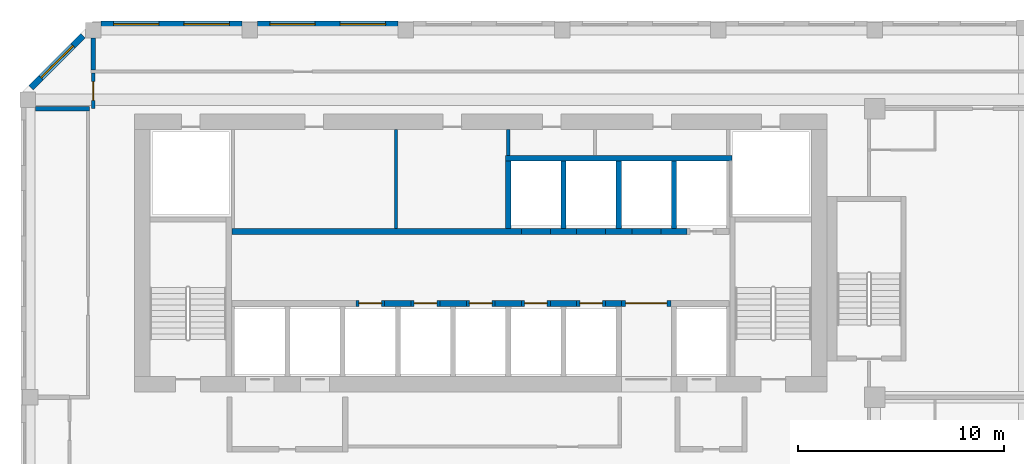
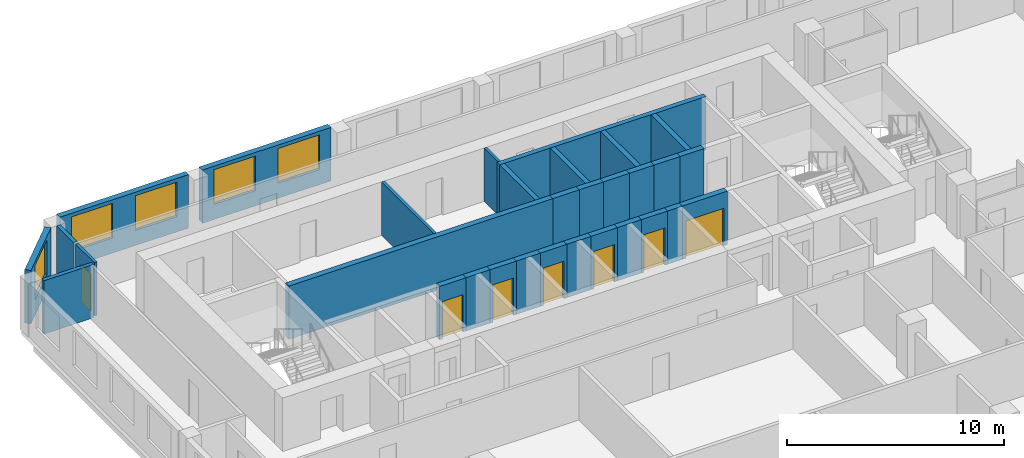
# One storey, part 14 of 22: 31 walls, 7 doors, 5 windows, 12 openings.
"""IFC4 building model written with IfcOpenShell, lengths in metres."""

from ifc_helpers import new_model, si_unit, direction, frame, frame_2d, origin, place, context, subcontext, project, spatial, rectangle, extrude, source, transform, mapped, material, layer, layer_set, type_object, element, fill, save


model = new_model("IFC4")

# Units and contexts
model_context = context("Model", 3, precision=1e-05, world=origin(), true_north=direction((0.0, 1.0)))
body_context = subcontext(model_context, "Body", "Model", "MODEL_VIEW")
ifc_project = project(units=[si_unit("LENGTHUNIT", "METRE"), si_unit("AREAUNIT", "SQUARE_METRE"), si_unit("VOLUMEUNIT", "CUBIC_METRE"), si_unit("PLANEANGLEUNIT", "RADIAN"), si_unit("MASSUNIT", "GRAM", prefix="KILO")], contexts=[model_context])

# Site, building, storey
site_placement = place(None, origin())
site = spatial("IfcSite", under=ifc_project, at=site_placement, CompositionType="ELEMENT")
building_placement = place(site_placement, origin())
building = spatial("IfcBuilding", under=site, at=building_placement, Name="Kilnfold Tower and Market Hall", CompositionType="ELEMENT")
storey_placement = place(building_placement, frame((0.0, 0.0, 220.300048828125)))
storey = spatial("IfcBuildingStorey", under=building, at=storey_placement, Name="L54", CompositionType="ELEMENT", Elevation=220.300048828125)

# Wall, opening, door
ifc_material_1 = material(Name="Gypsum board on steel studs", Category="steel")
ifc_layer_1 = layer(ifc_material_1, 0.14990234375)
ifc_layer_set_1 = layer_set([ifc_layer_1], Name="Gypsum board on steel studs")
wall_type_1 = type_object("IfcWallType", Name="WALL CORRIDOR 150", PredefinedType="PARTITIONING", material=ifc_layer_set_1)
wall_1_placement = place(storey_placement, frame((-17.75, 23.72509765625, 0.0), z_axis=(0.0, 0.0, 1.0), x_axis=(0.0, -1.0, 0.0)))
wall_1 = element("IfcWall", 1, at=wall_1_placement, inside=storey, type_object=wall_type_1, Name="Partition LY32.17", PredefinedType="PARTITIONING", context=body_context, shape_type="SweptSolid", body=[
    extrude(rectangle(XDim=1.72509765625, YDim=0.14990234375, at=frame_2d((0.862548828125, 0.0))), origin(), (0.0, 0.0, 1.0), 3.0),
])
opening_1_placement = place(wall_1_placement, frame((0.4130859375, 0.0, 0.0)))
opening_1 = element("IfcOpeningElement", 2, at=opening_1_placement, cuts=wall_1, Name="Opening D2", PredefinedType="OPENING", context=body_context, shape_type="SweptSolid", body=[
    extrude(rectangle(XDim=0.89990234375, YDim=2.10009765625, at=frame_2d((0.449951171875, 1.050048828125))), frame((0.0, 0.0849609375, 0.0), z_axis=(0.0, -1.0, 0.0), x_axis=(1.0, 0.0, 0.0)), (0.0, 0.0, 1.0), 0.169921875),
])
ifc_material_2 = material(Name="Timber veneer door leaf in steel frame", Category="steel")
door_type_1 = type_object("IfcDoorType", Name="DOOR ROOM 900 X2100", OperationType="NOTDEFINED", PredefinedType="DOOR", material=ifc_material_2)
door_1_placement = place(opening_1_placement, origin())
door_1 = element("IfcDoor", 3, at=door_1_placement, inside=storey, type_object=door_type_1, Name="Door D2", OperationType="SINGLE_SWING_LEFT", OverallHeight=2.10009765625, OverallWidth=0.89990234375, PredefinedType="DOOR", context=body_context, shape_type="SweptSolid", body=[
    extrude(rectangle(XDim=0.89990234375, YDim=2.10009765625, at=frame_2d((0.449951171875, 1.050048828125))), frame((0.0, 0.02490234375, 0.0), z_axis=(0.0, -1.0, 0.0), x_axis=(1.0, 0.0, 0.0)), (0.0, 0.0, 1.0), 0.050048828125),
])
fill(opening_1, door_1)

# Walls
ifc_material_3 = material(Name="Gypsum board on steel studs", Category="steel")
ifc_layer_2 = layer(ifc_material_3, 0.199951171875)
ifc_layer_set_2 = layer_set([ifc_layer_2], Name="Gypsum board on steel studs")
wall_type_2 = type_object("IfcWallType", Name="WALL PARTY 200", PredefinedType="PARTITIONING", material=ifc_layer_set_2)
wall_2_placement = place(storey_placement, frame((-20.556884765625, 22.0, 0.0), z_axis=(0.0, 0.0, 1.0), x_axis=(1.0, 0.0, 0.0)))
element("IfcWall", 4, at=wall_2_placement, inside=storey, type_object=wall_type_2, Name="Partition LY32.70", PredefinedType="PARTITIONING", context=body_context, shape_type="SweptSolid", body=[
    extrude(rectangle(XDim=2.6298828125, YDim=0.199951171875, at=frame_2d((1.31494140625, 0.0))), origin(), (0.0, 0.0, 1.0), 3.0),
])
wall_3_placement = place(storey_placement, frame((-17.75, 23.876953125, 0.0), z_axis=(0.0, 0.0, 1.0), x_axis=(0.0, 1.0, 0.0)))
element("IfcWall", 5, at=wall_3_placement, inside=storey, type_object=wall_type_2, Name="Partition LY32.76", PredefinedType="PARTITIONING", context=body_context, shape_type="SweptSolid", body=[
    extrude(rectangle(XDim=1.548095703125, YDim=0.199951171875, at=frame_2d((0.77392578125, 0.0))), origin(), (0.0, 0.0, 1.0), 3.0),
])
ifc_material_4 = material(Name="Concrete C60", Category="concrete")
ifc_layer_3 = layer(ifc_material_4, 0.300048828125)
ifc_layer_set_3 = layer_set([ifc_layer_3], Name="Concrete C60")
wall_type_3 = type_object("IfcWallType", Name="CORE WALL 300 C60", PredefinedType="SHEAR", material=ifc_layer_set_3)
shared_shape_1 = source(origin(), body_context, "Body", "SweptSolid", [
    extrude(rectangle(XDim=1.280029296875, YDim=0.300048828125, at=frame_2d((0.64013671875, 0.0))), origin(), (0.0, 0.0, 1.0), 3.0),
])
for number, where, z_axis, x_axis, name in (
    (6, (-3.610107421875, 12.550048828125, 0.0), (0.0, 0.0, 1.0), (1.0, 0.0, 0.0), "Core spine wall"),
    (7, (-0.929931640625, 12.550048828125, 0.0), (0.0, 0.0, 1.0), (1.0, 0.0, 0.0), "Core spine wall"),
    (8, (1.75, 12.550048828125, 0.0), (0.0, 0.0, 1.0), (1.0, 0.0, 0.0), "Core spine wall"),
    (9, (4.429931640625, 12.550048828125, 0.0), (0.0, 0.0, 1.0), (1.0, 0.0, 0.0), "Core spine wall"),
    (10, (4.429931640625, 16.050048828125, 0.0), (0.0, 0.0, 1.0), (1.0, 0.0, 0.0), "Core spine wall"),
    (11, (9.7900390625, 16.050048828125, 0.0), (0.0, 0.0, 1.0), (1.0, 0.0, 0.0), "Core spine wall"),
):
    element("IfcWall", number, at=place(storey_placement, frame(where, z_axis=z_axis, x_axis=x_axis)), inside=storey, type_object=wall_type_3, Name=name, PredefinedType="SHEAR", context=body_context, shape_type="MappedRepresentation", body=[
        mapped(shared_shape_1, transform((0.0, 0.0, 0.0))),
    ])
shared_shape_2 = source(origin(), body_context, "Body", "SweptSolid", [
    extrude(rectangle(XDim=0.77978515625, YDim=0.300048828125, at=frame_2d((0.389892578125, 0.0))), origin(), (0.0, 0.0, 1.0), 3.0),
])
wall_4_placement = place(storey_placement, frame((7.110107421875, 12.550048828125, 0.0), z_axis=(0.0, 0.0, 1.0), x_axis=(1.0, 0.0, 0.0)))
element("IfcWall", 12, at=wall_4_placement, inside=storey, type_object=wall_type_3, Name="Core spine wall", PredefinedType="SHEAR", context=body_context, shape_type="MappedRepresentation", body=[
    mapped(shared_shape_2, transform((0.0, 0.0, 0.0))),
])
shared_shape_3 = source(origin(), body_context, "Body", "SweptSolid", [
    extrude(rectangle(XDim=14.0400390625, YDim=0.300048828125, at=frame_2d((7.02001953125, 0.0))), origin(), (0.0, 0.0, 1.0), 3.0),
])
wall_5_placement = place(storey_placement, frame((-11.010009765625, 16.050048828125, 0.0), z_axis=(0.0, 0.0, 1.0), x_axis=(1.0, 0.0, 0.0)))
element("IfcWall", 13, at=wall_5_placement, inside=storey, type_object=wall_type_3, Name="Core spine wall", PredefinedType="SHEAR", context=body_context, shape_type="MappedRepresentation", body=[
    mapped(shared_shape_3, transform((0.0, 0.0, 0.0))),
])
shared_shape_4 = source(origin(), body_context, "Body", "SweptSolid", [
    extrude(rectangle(XDim=1.27978515625, YDim=0.300048828125, at=frame_2d((0.639892578125, 0.0))), origin(), (0.0, 0.0, 1.0), 3.0),
])
wall_6_placement = place(storey_placement, frame((7.110107421875, 16.050048828125, 0.0), z_axis=(0.0, 0.0, 1.0), x_axis=(1.0, 0.0, 0.0)))
element("IfcWall", 14, at=wall_6_placement, inside=storey, type_object=wall_type_3, Name="Core spine wall", PredefinedType="SHEAR", context=body_context, shape_type="MappedRepresentation", body=[
    mapped(shared_shape_4, transform((0.0, 0.0, 0.0))),
])

# Wall, opening, window
ifc_material_5 = material(Name="Precast concrete C50/60", Category="concrete")
ifc_layer_4 = layer(ifc_material_5, 0.300048828125)
ifc_layer_set_4 = layer_set([ifc_layer_4], Name="Precast concrete C50/60")
wall_type_4 = type_object("IfcWallType", Name="PRECAST WALL 300", PredefinedType="SOLIDWALL", material=ifc_layer_set_4)
shared_shape_5 = source(origin(), body_context, "Body", "SweptSolid", [
    extrude(rectangle(XDim=3.571044921875, YDim=0.300048828125, at=frame_2d((1.78564453125, 0.0))), origin(), (0.0, 0.0, 1.0), 3.0),
])
wall_7_placement = place(storey_placement, frame((-18.243896484375, 25.5439453125, 0.0), z_axis=(0.0, 0.0, 1.0), x_axis=(-0.707072595841, -0.707140964879, 0.0)))
wall_7 = element("IfcWall", 15, at=wall_7_placement, inside=storey, type_object=wall_type_4, Name="External wall L54 NW", PredefinedType="SOLIDWALL", context=body_context, shape_type="MappedRepresentation", body=[
    mapped(shared_shape_5, transform((0.0, 0.0, 0.0))),
])
opening_2_placement = place(wall_7_placement, frame((0.685546875, 0.0, 0.85009765625)))
opening_2 = element("IfcOpeningElement", 16, at=opening_2_placement, cuts=wall_7, Name="Opening W2", PredefinedType="OPENING", context=body_context, shape_type="SweptSolid", body=[
    extrude(rectangle(XDim=2.199951171875, YDim=1.949951171875, at=frame_2d((1.10009765625, 0.97509765625))), frame((0.0, 0.16015625, 0.0), z_axis=(0.0, -1.0, 0.0), x_axis=(1.0, 0.0, 0.0)), (0.0, 0.0, 1.0), 0.320068359375),
])
ifc_material_6 = material(Name="Aluminium frame and double glazing", Category="aluminium")
window_type = type_object("IfcWindowType", Name="WINDOW W2 2200X1950", PartitioningType="SINGLE_PANEL", PredefinedType="WINDOW", material=ifc_material_6)
window_1_placement = place(opening_2_placement, origin())
window_1 = element("IfcWindow", 17, at=window_1_placement, inside=storey, type_object=window_type, Name="Window W2 L54 NW-1", OverallHeight=1.949951171875, OverallWidth=2.199951171875, PartitioningType="SINGLE_PANEL", PredefinedType="WINDOW", context=body_context, shape_type="SweptSolid", body=[
    extrude(rectangle(XDim=2.199951171875, YDim=1.949951171875, at=frame_2d((1.10009765625, 0.97509765625))), frame((0.0, 0.030029296875, 0.0), z_axis=(0.0, -1.0, 0.0), x_axis=(1.0, 0.0, 0.0)), (0.0, 0.0, 1.0), 0.06005859375),
])
fill(opening_2, window_1)

# Wall, openings, windows
shared_shape_6 = source(origin(), body_context, "Body", "SweptSolid", [
    extrude(rectangle(XDim=6.83349609375, YDim=0.300048828125, at=frame_2d((3.416748046875, 0.0))), origin(), (0.0, 0.0, 1.0), 3.0),
])
wall_8_placement = place(storey_placement, frame((-2.958251953125, 26.10009765625, 0.0), z_axis=(0.0, 0.0, 1.0), x_axis=(-1.0, 0.0, 0.0)))
wall_8 = element("IfcWall", 18, at=wall_8_placement, inside=storey, type_object=wall_type_4, Name="External wall L54 N", PredefinedType="SOLIDWALL", context=body_context, shape_type="MappedRepresentation", body=[
    mapped(shared_shape_6, transform((0.0, 0.0, 0.0))),
])
opening_3_placement = place(wall_8_placement, frame((0.6083984375, 0.0, 0.85009765625)))
opening_3 = element("IfcOpeningElement", 19, at=opening_3_placement, cuts=wall_8, Name="Opening W2", PredefinedType="OPENING", context=body_context, shape_type="SweptSolid", body=[
    extrude(rectangle(XDim=2.199951171875, YDim=1.949951171875, at=frame_2d((1.10009765625, 0.97509765625))), frame((0.0, 0.16015625, 0.0), z_axis=(0.0, -1.0, 0.0), x_axis=(1.0, 0.0, 0.0)), (0.0, 0.0, 1.0), 0.320068359375),
])
opening_4_placement = place(wall_8_placement, frame((4.02490234375, 0.0, 0.85009765625)))
opening_4 = element("IfcOpeningElement", 20, at=opening_4_placement, cuts=wall_8, Name="Opening W2", PredefinedType="OPENING", context=body_context, shape_type="SweptSolid", body=[
    extrude(rectangle(XDim=2.199951171875, YDim=1.949951171875, at=frame_2d((1.10009765625, 0.97509765625))), frame((0.0, 0.16015625, 0.0), z_axis=(0.0, -1.0, 0.0), x_axis=(1.0, 0.0, 0.0)), (0.0, 0.0, 1.0), 0.320068359375),
])
window_2_placement = place(opening_3_placement, origin())
window_2 = element("IfcWindow", 21, at=window_2_placement, inside=storey, type_object=window_type, Name="Window W2 L54 N-1", OverallHeight=1.949951171875, OverallWidth=2.199951171875, PartitioningType="SINGLE_PANEL", PredefinedType="WINDOW", context=body_context, shape_type="SweptSolid", body=[
    extrude(rectangle(XDim=2.199951171875, YDim=1.949951171875, at=frame_2d((1.10009765625, 0.97509765625))), frame((0.0, 0.030029296875, 0.0), z_axis=(0.0, -1.0, 0.0), x_axis=(1.0, 0.0, 0.0)), (0.0, 0.0, 1.0), 0.06005859375),
])
fill(opening_3, window_2)
window_3_placement = place(opening_4_placement, origin())
window_3 = element("IfcWindow", 22, at=window_3_placement, inside=storey, type_object=window_type, Name="Window W2 L54 N-2", OverallHeight=1.949951171875, OverallWidth=2.199951171875, PartitioningType="SINGLE_PANEL", PredefinedType="WINDOW", context=body_context, shape_type="SweptSolid", body=[
    extrude(rectangle(XDim=2.199951171875, YDim=1.949951171875, at=frame_2d((1.10009765625, 0.97509765625))), frame((0.0, 0.030029296875, 0.0), z_axis=(0.0, -1.0, 0.0), x_axis=(1.0, 0.0, 0.0)), (0.0, 0.0, 1.0), 0.06005859375),
])
fill(opening_4, window_3)

shared_shape_7 = source(origin(), body_context, "Body", "SweptSolid", [
    extrude(rectangle(XDim=6.833251953125, YDim=0.300048828125, at=frame_2d((3.41650390625, 0.0))), origin(), (0.0, 0.0, 1.0), 3.0),
])
wall_9_placement = place(storey_placement, frame((-10.541748046875, 26.10009765625, 0.0), z_axis=(0.0, 0.0, 1.0), x_axis=(-1.0, 0.0, 0.0)))
wall_9 = element("IfcWall", 23, at=wall_9_placement, inside=storey, type_object=wall_type_4, Name="External wall L54 N", PredefinedType="SOLIDWALL", context=body_context, shape_type="MappedRepresentation", body=[
    mapped(shared_shape_7, transform((0.0, 0.0, 0.0))),
])
opening_5_placement = place(wall_9_placement, frame((0.6083984375, 0.0, 0.85009765625)))
opening_5 = element("IfcOpeningElement", 24, at=opening_5_placement, cuts=wall_9, Name="Opening W2", PredefinedType="OPENING", context=body_context, shape_type="SweptSolid", body=[
    extrude(rectangle(XDim=2.199951171875, YDim=1.949951171875, at=frame_2d((1.10009765625, 0.97509765625))), frame((0.0, 0.16015625, 0.0), z_axis=(0.0, -1.0, 0.0), x_axis=(1.0, 0.0, 0.0)), (0.0, 0.0, 1.0), 0.320068359375),
])
opening_6_placement = place(wall_9_placement, frame((4.02490234375, 0.0, 0.85009765625)))
opening_6 = element("IfcOpeningElement", 25, at=opening_6_placement, cuts=wall_9, Name="Opening W2", PredefinedType="OPENING", context=body_context, shape_type="SweptSolid", body=[
    extrude(rectangle(XDim=2.199951171875, YDim=1.949951171875, at=frame_2d((1.10009765625, 0.97509765625))), frame((0.0, 0.16015625, 0.0), z_axis=(0.0, -1.0, 0.0), x_axis=(1.0, 0.0, 0.0)), (0.0, 0.0, 1.0), 0.320068359375),
])
window_4_placement = place(opening_5_placement, origin())
window_4 = element("IfcWindow", 26, at=window_4_placement, inside=storey, type_object=window_type, Name="Window W2 L54 N-1", OverallHeight=1.949951171875, OverallWidth=2.199951171875, PartitioningType="SINGLE_PANEL", PredefinedType="WINDOW", context=body_context, shape_type="SweptSolid", body=[
    extrude(rectangle(XDim=2.199951171875, YDim=1.949951171875, at=frame_2d((1.10009765625, 0.97509765625))), frame((0.0, 0.030029296875, 0.0), z_axis=(0.0, -1.0, 0.0), x_axis=(1.0, 0.0, 0.0)), (0.0, 0.0, 1.0), 0.06005859375),
])
fill(opening_5, window_4)
window_5_placement = place(opening_6_placement, origin())
window_5 = element("IfcWindow", 27, at=window_5_placement, inside=storey, type_object=window_type, Name="Window W2 L54 N-2", OverallHeight=1.949951171875, OverallWidth=2.199951171875, PartitioningType="SINGLE_PANEL", PredefinedType="WINDOW", context=body_context, shape_type="SweptSolid", body=[
    extrude(rectangle(XDim=2.199951171875, YDim=1.949951171875, at=frame_2d((1.10009765625, 0.97509765625))), frame((0.0, 0.030029296875, 0.0), z_axis=(0.0, -1.0, 0.0), x_axis=(1.0, 0.0, 0.0)), (0.0, 0.0, 1.0), 0.06005859375),
])
fill(opening_6, window_5)

# Wall, opening, door
ifc_material_7 = material(Name="Gypsum shaft wall system")
ifc_layer_5 = layer(ifc_material_7, 0.300048828125)
ifc_layer_set_5 = layer_set([ifc_layer_5], Name="Gypsum shaft wall system")
wall_type_5 = type_object("IfcWallType", Name="SHAFT WALL 300", PredefinedType="PARTITIONING", material=ifc_layer_set_5)
shared_shape_8 = source(origin(), body_context, "Body", "SweptSolid", [
    extrude(rectangle(XDim=1.39990234375, YDim=0.300048828125, at=frame_2d((0.699951171875, 0.0))), origin(), (0.0, 0.0, 1.0), 3.0),
])
wall_10_placement = place(storey_placement, frame((-5.010009765625, 12.550048828125, 0.0), z_axis=(0.0, 0.0, 1.0), x_axis=(1.0, 0.0, 0.0)))
wall_10 = element("IfcWall", 28, at=wall_10_placement, inside=storey, type_object=wall_type_5, Name="Lift shaft front wall", PredefinedType="PARTITIONING", context=body_context, shape_type="MappedRepresentation", body=[
    mapped(shared_shape_8, transform((0.0, 0.0, 0.0))),
])
opening_7_placement = place(wall_10_placement, frame((0.14990234375, 0.0, 0.0)))
opening_7 = element("IfcOpeningElement", 29, at=opening_7_placement, cuts=wall_10, Name="Opening LD2", PredefinedType="OPENING", context=body_context, shape_type="SweptSolid", body=[
    extrude(rectangle(XDim=1.10009765625, YDim=2.10009765625, at=frame_2d((0.550048828125, 1.050048828125))), frame((0.0, 0.16015625, 0.0), z_axis=(0.0, -1.0, 0.0), x_axis=(1.0, 0.0, 0.0)), (0.0, 0.0, 1.0), 0.320068359375),
])
ifc_material_8 = material(Name="Steel door set with fire-resisting leaf", Category="steel")
door_type_2 = type_object("IfcDoorType", Name="LANDING DOOR 1100X2100", OperationType="NOTDEFINED", PredefinedType="DOOR", material=ifc_material_8)
door_2_placement = place(opening_7_placement, origin())
door_2 = element("IfcDoor", 30, at=door_2_placement, inside=storey, type_object=door_type_2, Name="Landing door MR1", OperationType="DOUBLE_DOOR_SLIDING", OverallHeight=2.10009765625, OverallWidth=1.10009765625, PredefinedType="DOOR", context=body_context, shape_type="SweptSolid", body=[
    extrude(rectangle(XDim=1.10009765625, YDim=2.10009765625, at=frame_2d((0.550048828125, 1.050048828125))), frame((0.0, 0.02490234375, 0.0), z_axis=(0.0, -1.0, 0.0), x_axis=(1.0, 0.0, 0.0)), (0.0, 0.0, 1.0), 0.050048828125),
])
fill(opening_7, door_2)

wall_11_placement = place(storey_placement, frame((0.35009765625, 12.550048828125, 0.0), z_axis=(0.0, 0.0, 1.0), x_axis=(1.0, 0.0, 0.0)))
wall_11 = element("IfcWall", 31, at=wall_11_placement, inside=storey, type_object=wall_type_5, Name="Lift shaft front wall", PredefinedType="PARTITIONING", context=body_context, shape_type="MappedRepresentation", body=[
    mapped(shared_shape_8, transform((0.0, 0.0, 0.0))),
])
opening_8_placement = place(wall_11_placement, frame((0.14990234375, 0.0, 0.0)))
opening_8 = element("IfcOpeningElement", 32, at=opening_8_placement, cuts=wall_11, Name="Opening LD2", PredefinedType="OPENING", context=body_context, shape_type="SweptSolid", body=[
    extrude(rectangle(XDim=1.10009765625, YDim=2.10009765625, at=frame_2d((0.550048828125, 1.050048828125))), frame((0.0, 0.16015625, 0.0), z_axis=(0.0, -1.0, 0.0), x_axis=(1.0, 0.0, 0.0)), (0.0, 0.0, 1.0), 0.320068359375),
])
door_3_placement = place(opening_8_placement, origin())
door_3 = element("IfcDoor", 33, at=door_3_placement, inside=storey, type_object=door_type_2, Name="Landing door MR3", OperationType="DOUBLE_DOOR_SLIDING", OverallHeight=2.10009765625, OverallWidth=1.10009765625, PredefinedType="DOOR", context=body_context, shape_type="SweptSolid", body=[
    extrude(rectangle(XDim=1.10009765625, YDim=2.10009765625, at=frame_2d((0.550048828125, 1.050048828125))), frame((0.0, 0.02490234375, 0.0), z_axis=(0.0, -1.0, 0.0), x_axis=(1.0, 0.0, 0.0)), (0.0, 0.0, 1.0), 0.050048828125),
])
fill(opening_8, door_3)

wall_12_placement = place(storey_placement, frame((3.030029296875, 12.550048828125, 0.0), z_axis=(0.0, 0.0, 1.0), x_axis=(1.0, 0.0, 0.0)))
wall_12 = element("IfcWall", 34, at=wall_12_placement, inside=storey, type_object=wall_type_5, Name="Lift shaft front wall", PredefinedType="PARTITIONING", context=body_context, shape_type="MappedRepresentation", body=[
    mapped(shared_shape_8, transform((0.0, 0.0, 0.0))),
])
opening_9_placement = place(wall_12_placement, frame((0.14990234375, 0.0, 0.0)))
opening_9 = element("IfcOpeningElement", 35, at=opening_9_placement, cuts=wall_12, Name="Opening LD2", PredefinedType="OPENING", context=body_context, shape_type="SweptSolid", body=[
    extrude(rectangle(XDim=1.10009765625, YDim=2.10009765625, at=frame_2d((0.550048828125, 1.050048828125))), frame((0.0, 0.16015625, 0.0), z_axis=(0.0, -1.0, 0.0), x_axis=(1.0, 0.0, 0.0)), (0.0, 0.0, 1.0), 0.320068359375),
])
door_4_placement = place(opening_9_placement, origin())
door_4 = element("IfcDoor", 36, at=door_4_placement, inside=storey, type_object=door_type_2, Name="Landing door MR4", OperationType="DOUBLE_DOOR_SLIDING", OverallHeight=2.10009765625, OverallWidth=1.10009765625, PredefinedType="DOOR", context=body_context, shape_type="SweptSolid", body=[
    extrude(rectangle(XDim=1.10009765625, YDim=2.10009765625, at=frame_2d((0.550048828125, 1.050048828125))), frame((0.0, 0.02490234375, 0.0), z_axis=(0.0, -1.0, 0.0), x_axis=(1.0, 0.0, 0.0)), (0.0, 0.0, 1.0), 0.050048828125),
])
fill(opening_9, door_4)

# Wall
wall_13_placement = place(storey_placement, frame((3.030029296875, 16.050048828125, 0.0), z_axis=(0.0, 0.0, 1.0), x_axis=(1.0, 0.0, 0.0)))
element("IfcWall", 37, at=wall_13_placement, inside=storey, type_object=wall_type_5, Name="Lift shaft front wall", PredefinedType="PARTITIONING", context=body_context, shape_type="MappedRepresentation", body=[
    mapped(shared_shape_8, transform((0.0, 0.0, 0.0))),
])

# Wall, opening, door
shared_shape_9 = source(origin(), body_context, "Body", "SweptSolid", [
    extrude(rectangle(XDim=1.400146484375, YDim=0.300048828125, at=frame_2d((0.7001953125, 0.0))), origin(), (0.0, 0.0, 1.0), 3.0),
])
wall_14_placement = place(storey_placement, frame((-2.330078125, 12.550048828125, 0.0), z_axis=(0.0, 0.0, 1.0), x_axis=(1.0, 0.0, 0.0)))
wall_14 = element("IfcWall", 38, at=wall_14_placement, inside=storey, type_object=wall_type_5, Name="Lift shaft front wall", PredefinedType="PARTITIONING", context=body_context, shape_type="MappedRepresentation", body=[
    mapped(shared_shape_9, transform((0.0, 0.0, 0.0))),
])
opening_10_placement = place(wall_14_placement, frame((0.14990234375, 0.0, 0.0)))
opening_10 = element("IfcOpeningElement", 39, at=opening_10_placement, cuts=wall_14, Name="Opening LD2", PredefinedType="OPENING", context=body_context, shape_type="SweptSolid", body=[
    extrude(rectangle(XDim=1.10009765625, YDim=2.10009765625, at=frame_2d((0.550048828125, 1.050048828125))), frame((0.0, 0.16015625, 0.0), z_axis=(0.0, -1.0, 0.0), x_axis=(1.0, 0.0, 0.0)), (0.0, 0.0, 1.0), 0.320068359375),
])
door_5_placement = place(opening_10_placement, origin())
door_5 = element("IfcDoor", 40, at=door_5_placement, inside=storey, type_object=door_type_2, Name="Landing door MR2", OperationType="DOUBLE_DOOR_SLIDING", OverallHeight=2.10009765625, OverallWidth=1.10009765625, PredefinedType="DOOR", context=body_context, shape_type="SweptSolid", body=[
    extrude(rectangle(XDim=1.10009765625, YDim=2.10009765625, at=frame_2d((0.550048828125, 1.050048828125))), frame((0.0, 0.02490234375, 0.0), z_axis=(0.0, -1.0, 0.0), x_axis=(1.0, 0.0, 0.0)), (0.0, 0.0, 1.0), 0.050048828125),
])
fill(opening_10, door_5)

wall_15_placement = place(storey_placement, frame((5.7099609375, 12.550048828125, 0.0), z_axis=(0.0, 0.0, 1.0), x_axis=(1.0, 0.0, 0.0)))
wall_15 = element("IfcWall", 41, at=wall_15_placement, inside=storey, type_object=wall_type_5, Name="Lift shaft front wall", PredefinedType="PARTITIONING", context=body_context, shape_type="MappedRepresentation", body=[
    mapped(shared_shape_9, transform((0.0, 0.0, 0.0))),
])
opening_11_placement = place(wall_15_placement, frame((0.14990234375, 0.0, 0.0)))
opening_11 = element("IfcOpeningElement", 42, at=opening_11_placement, cuts=wall_15, Name="Opening LD2", PredefinedType="OPENING", context=body_context, shape_type="SweptSolid", body=[
    extrude(rectangle(XDim=1.10009765625, YDim=2.10009765625, at=frame_2d((0.550048828125, 1.050048828125))), frame((0.0, 0.16015625, 0.0), z_axis=(0.0, -1.0, 0.0), x_axis=(1.0, 0.0, 0.0)), (0.0, 0.0, 1.0), 0.320068359375),
])
door_6_placement = place(opening_11_placement, origin())
door_6 = element("IfcDoor", 43, at=door_6_placement, inside=storey, type_object=door_type_2, Name="Landing door MR5", OperationType="DOUBLE_DOOR_SLIDING", OverallHeight=2.10009765625, OverallWidth=1.10009765625, PredefinedType="DOOR", context=body_context, shape_type="SweptSolid", body=[
    extrude(rectangle(XDim=1.10009765625, YDim=2.10009765625, at=frame_2d((0.550048828125, 1.050048828125))), frame((0.0, 0.02490234375, 0.0), z_axis=(0.0, -1.0, 0.0), x_axis=(1.0, 0.0, 0.0)), (0.0, 0.0, 1.0), 0.050048828125),
])
fill(opening_11, door_6)

# Walls
for number, where, z_axis, x_axis, name in (
    (44, (5.7099609375, 16.050048828125, 0.0), (0.0, 0.0, 1.0), (1.0, 0.0, 0.0), "Lift shaft front wall"),
    (45, (8.389892578125, 16.050048828125, 0.0), (0.0, 0.0, 1.0), (1.0, 0.0, 0.0), "Lift shaft front wall"),
):
    element("IfcWall", number, at=place(storey_placement, frame(where, z_axis=z_axis, x_axis=x_axis)), inside=storey, type_object=wall_type_5, Name=name, PredefinedType="PARTITIONING", context=body_context, shape_type="MappedRepresentation", body=[
        mapped(shared_shape_9, transform((0.0, 0.0, 0.0))),
    ])

# Wall, opening, door
shared_shape_10 = source(origin(), body_context, "Body", "SweptSolid", [
    extrude(rectangle(XDim=2.400146484375, YDim=0.300048828125, at=frame_2d((1.2001953125, 0.0))), origin(), (0.0, 0.0, 1.0), 3.0),
])
wall_16_placement = place(storey_placement, frame((7.889892578125, 12.550048828125, 0.0), z_axis=(0.0, 0.0, 1.0), x_axis=(1.0, 0.0, 0.0)))
wall_16 = element("IfcWall", 46, at=wall_16_placement, inside=storey, type_object=wall_type_5, Name="Lift shaft front wall", PredefinedType="PARTITIONING", context=body_context, shape_type="MappedRepresentation", body=[
    mapped(shared_shape_10, transform((0.0, 0.0, 0.0))),
])
opening_12_placement = place(wall_16_placement, frame((0.199951171875, 0.0, 0.0)))
opening_12 = element("IfcOpeningElement", 47, at=opening_12_placement, cuts=wall_16, Name="Opening VD2", PredefinedType="OPENING", context=body_context, shape_type="SweptSolid", body=[
    extrude(rectangle(XDim=2.0, YDim=2.10009765625, at=frame_2d((1.0, 1.050048828125))), frame((0.0, 0.16015625, 0.0), z_axis=(0.0, -1.0, 0.0), x_axis=(1.0, 0.0, 0.0)), (0.0, 0.0, 1.0), 0.320068359375),
])
ifc_material_9 = material(Name="Steel door set with fire-resisting leaf", Category="steel")
door_type_3 = type_object("IfcDoorType", Name="LIFT LOBBY ENTRANCE DOOR 2000X2100", OperationType="NOTDEFINED", PredefinedType="DOOR", material=ifc_material_9)
door_7_placement = place(opening_12_placement, origin())
door_7 = element("IfcDoor", 48, at=door_7_placement, inside=storey, type_object=door_type_3, Name="Lift lobby entrance door", OperationType="DOUBLE_DOOR_SINGLE_SWING", OverallHeight=2.10009765625, OverallWidth=2.0, PredefinedType="DOOR", context=body_context, shape_type="SweptSolid", body=[
    extrude(rectangle(XDim=2.0, YDim=2.10009765625, at=frame_2d((1.0, 1.050048828125))), frame((0.0, 0.02490234375, 0.0), z_axis=(0.0, -1.0, 0.0), x_axis=(1.0, 0.0, 0.0)), (0.0, 0.0, 1.0), 0.050048828125),
])
fill(opening_12, door_7)

# Walls
ifc_material_10 = material(Name="Gypsum shaft wall system")
ifc_layer_6 = layer(ifc_material_10, 0.25)
ifc_layer_set_6 = layer_set([ifc_layer_6], Name="Gypsum shaft wall system")
wall_type_6 = type_object("IfcWallType", Name="SHAFT WALL 250", PredefinedType="PARTITIONING", material=ifc_layer_set_6)
shared_shape_11 = source(origin(), body_context, "Body", "SweptSolid", [
    extrude(rectangle(XDim=10.97021484375, YDim=0.25, at=frame_2d((5.485107421875, 0.0))), origin(), (0.0, 0.0, 1.0), 3.0),
])
wall_17_placement = place(storey_placement, frame((2.264892578125, 19.60009765625, 0.0), z_axis=(0.0, 0.0, 1.0), x_axis=(1.0, 0.0, 0.0)))
element("IfcWall", 49, at=wall_17_placement, inside=storey, type_object=wall_type_6, Name="Lift shaft wall", PredefinedType="PARTITIONING", context=body_context, shape_type="MappedRepresentation", body=[
    mapped(shared_shape_11, transform((0.0, 0.0, 0.0))),
])
shared_shape_12 = source(origin(), body_context, "Body", "SweptSolid", [
    extrude(rectangle(XDim=3.275146484375, YDim=0.25, at=frame_2d((1.6376953125, 0.0))), origin(), (0.0, 0.0, 1.0), 3.0),
])
for number, where, z_axis, x_axis, name in (
    (50, (10.429931640625, 16.199951171875, 0.0), (0.0, 0.0, 1.0), (0.0, 1.0, 0.0), "Lift shaft wall"),
    (51, (2.389892578125, 16.199951171875, 0.0), (0.0, 0.0, 1.0), (0.0, 1.0, 0.0), "Lift shaft wall"),
    (52, (5.070068359375, 16.199951171875, 0.0), (0.0, 0.0, 1.0), (0.0, 1.0, 0.0), "Lift shaft wall"),
    (53, (7.75, 16.199951171875, 0.0), (0.0, 0.0, 1.0), (0.0, 1.0, 0.0), "Lift shaft wall"),
):
    element("IfcWall", number, at=place(storey_placement, frame(where, z_axis=z_axis, x_axis=x_axis)), inside=storey, type_object=wall_type_6, Name=name, PredefinedType="PARTITIONING", context=body_context, shape_type="MappedRepresentation", body=[
        mapped(shared_shape_12, transform((0.0, 0.0, 0.0))),
    ])
ifc_material_11 = material(Name="Gypsum shaft wall system")
ifc_layer_7 = layer(ifc_material_11, 0.14990234375)
ifc_layer_set_7 = layer_set([ifc_layer_7], Name="Gypsum shaft wall system")
wall_type_7 = type_object("IfcWallType", Name="ROOM WALL 150", PredefinedType="PARTITIONING", material=ifc_layer_set_7)
shared_shape_13 = source(origin(), body_context, "Body", "SweptSolid", [
    extrude(rectangle(XDim=4.800048828125, YDim=0.14990234375, at=frame_2d((2.39990234375, 0.0))), origin(), (0.0, 0.0, 1.0), 3.0),
])
wall_18_placement = place(storey_placement, frame((-3.05029296875, 16.199951171875, 0.0), z_axis=(0.0, 0.0, 1.0), x_axis=(0.0, 1.0, 0.0)))
element("IfcWall", 54, at=wall_18_placement, inside=storey, type_object=wall_type_7, Name="Core room wall", PredefinedType="PARTITIONING", context=body_context, shape_type="MappedRepresentation", body=[
    mapped(shared_shape_13, transform((0.0, 0.0, 0.0))),
])
shared_shape_14 = source(origin(), body_context, "Body", "SweptSolid", [
    extrude(rectangle(XDim=1.27490234375, YDim=0.14990234375, at=frame_2d((0.637451171875, 0.0))), origin(), (0.0, 0.0, 1.0), 3.0),
])
wall_19_placement = place(storey_placement, frame((2.389892578125, 19.72509765625, 0.0), z_axis=(0.0, 0.0, 1.0), x_axis=(0.0, 1.0, 0.0)))
element("IfcWall", 55, at=wall_19_placement, inside=storey, type_object=wall_type_7, Name="Core room wall", PredefinedType="PARTITIONING", context=body_context, shape_type="MappedRepresentation", body=[
    mapped(shared_shape_14, transform((0.0, 0.0, 0.0))),
])

save(model, "model.ifc")
